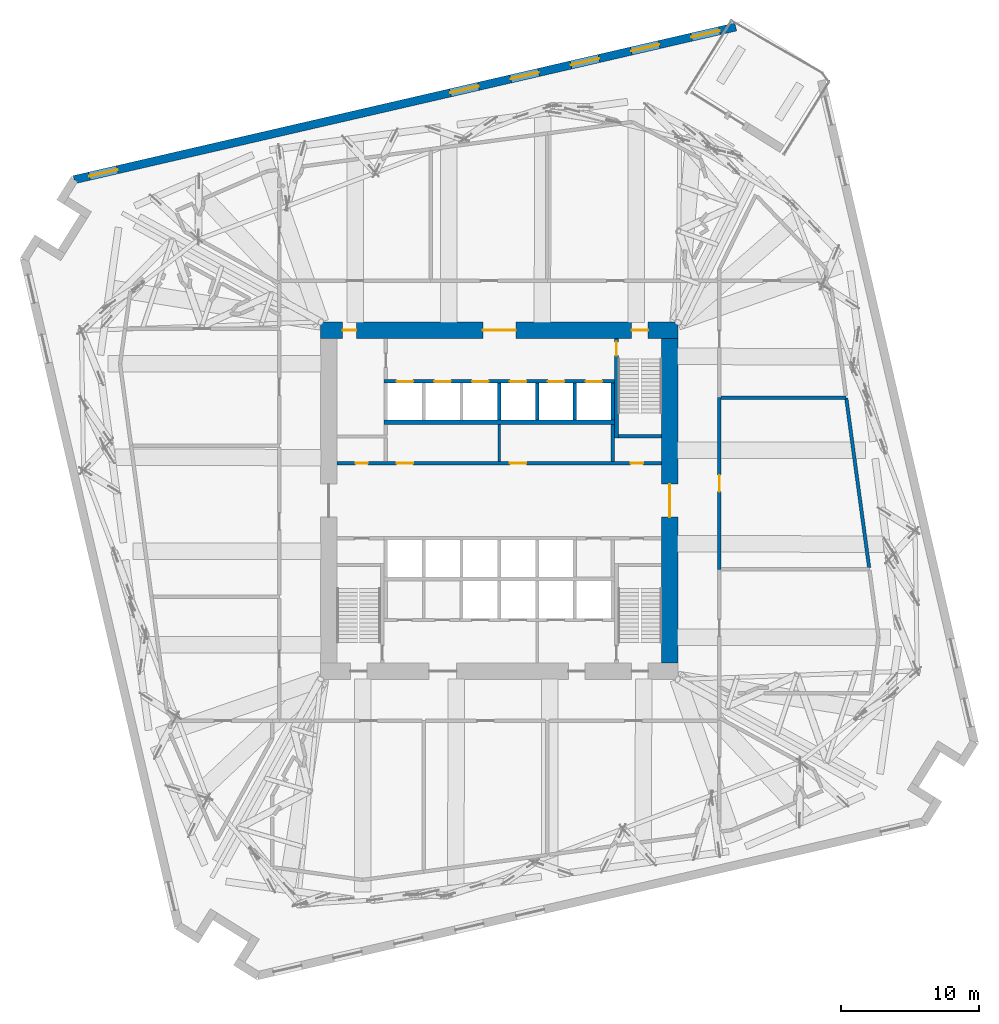
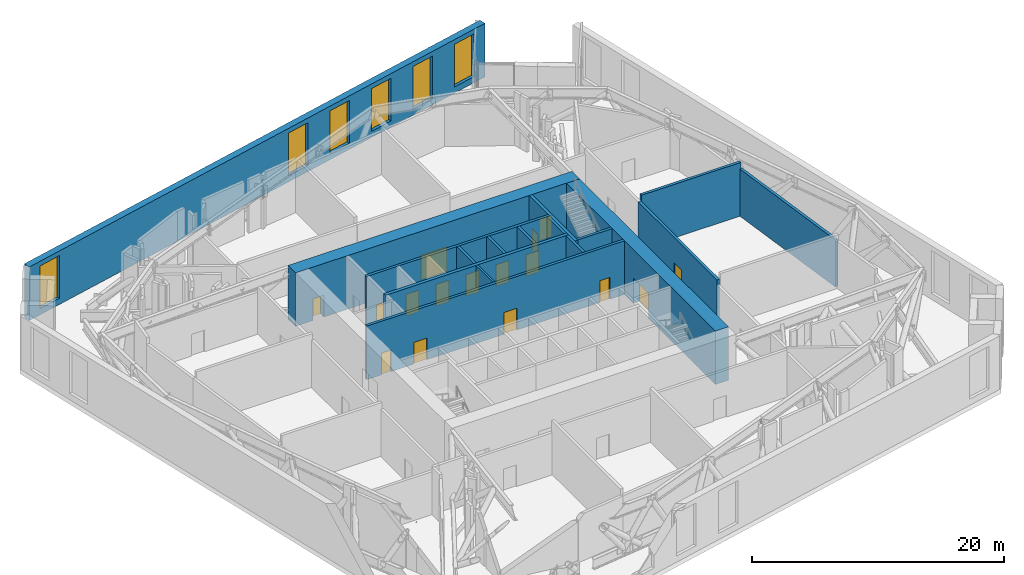
# One storey, part 11 of 17: 17 walls, 16 doors, 6 windows, 22 openings.
"""IFC4 building model written with IfcOpenShell, lengths in metres."""

from ifc_helpers import new_model, si_unit, direction, frame, frame_2d, origin, place, context, subcontext, project, spatial, rectangle, extrude, material, layer, layer_set, type_object, element, fill, save


model = new_model("IFC4")

# Units and contexts
model_context = context("Model", 3, precision=1e-05, world=origin(), true_north=direction((0.0, 1.0)))
body_context = subcontext(model_context, "Body", "Model", "MODEL_VIEW")
ifc_project = project(units=[si_unit("LENGTHUNIT", "METRE"), si_unit("AREAUNIT", "SQUARE_METRE"), si_unit("VOLUMEUNIT", "CUBIC_METRE"), si_unit("PLANEANGLEUNIT", "RADIAN"), si_unit("MASSUNIT", "GRAM", prefix="KILO")], contexts=[model_context])

# Site, building, storey
site_placement = place(None, origin())
site = spatial("IfcSite", under=ifc_project, at=site_placement, CompositionType="ELEMENT")
building_placement = place(site_placement, origin())
building = spatial("IfcBuilding", under=site, at=building_placement, Name="Dilmun Exchange Tower", CompositionType="ELEMENT")
storey_placement = place(building_placement, frame((0.0, 0.0, 76.5)))
storey = spatial("IfcBuildingStorey", under=building, at=storey_placement, Name="L17", CompositionType="ELEMENT", Elevation=76.5)

# Wall
ifc_material_1 = material(Name="Concrete C40/50", Category="concrete")
ifc_layer_1 = layer(ifc_material_1, 0.199951171875)
ifc_layer_set_1 = layer_set([ifc_layer_1], Name="Concrete C40/50")
wall_type_1 = type_object("IfcWallType", Name="Core partition wall 200", PredefinedType="PARTITIONING", material=ifc_layer_set_1)
wall_1_placement = place(storey_placement, frame((0.0, 2.85498046875, 0.0), z_axis=(0.0, 0.0, 1.0), x_axis=(0.0, 1.0, 0.0)))
element("IfcWall", 1, at=wall_1_placement, inside=storey, type_object=wall_type_1, Name="L17 core partition wall 10", PredefinedType="PARTITIONING", context=body_context, shape_type="SweptSolid", body=[
    extrude(rectangle(XDim=2.68994140625, YDim=0.199951171875, at=frame_2d((1.344970703125, 0.0))), origin(), (0.0, 0.0, 1.0), 5.179931640625),
])

# Wall, openings, doors
ifc_layer_2 = layer(ifc_material_1, 0.25)
ifc_layer_set_2 = layer_set([ifc_layer_2], Name="Concrete C40/50")
wall_type_2 = type_object("IfcWallType", Name="Core partition wall 250", PredefinedType="PARTITIONING", material=ifc_layer_set_2)
wall_2_placement = place(storey_placement, frame((-11.794921875, 2.72509765625, 0.0), z_axis=(0.0, 0.0, 1.0), x_axis=(1.0, 0.0, 0.0)))
wall_2 = element("IfcWall", 2, at=wall_2_placement, inside=storey, type_object=wall_type_2, Name="L17 core partition wall 08", PredefinedType="PARTITIONING", context=body_context, shape_type="SweptSolid", body=[
    extrude(rectangle(XDim=23.58984375, YDim=0.25, at=frame_2d((11.794921875, 0.0))), origin(), (0.0, 0.0, 1.0), 5.179931640625),
])
opening_1_placement = place(wall_2_placement, frame((21.344970703125, 0.0, 0.0)))
opening_1 = element("IfcOpeningElement", 3, at=opening_1_placement, cuts=wall_2, Name="Opening CD6", PredefinedType="OPENING", context=body_context, shape_type="SweptSolid", body=[
    extrude(rectangle(XDim=0.89990234375, YDim=2.10009765625, at=frame_2d((0.449951171875, 1.050048828125))), frame((0.0, 0.135009765625, 0.0), z_axis=(0.0, -1.0, 0.0), x_axis=(1.0, 0.0, 0.0)), (0.0, 0.0, 1.0), 0.27001953125),
])
opening_2_placement = place(wall_2_placement, frame((1.344970703125, 0.0, 0.0)))
opening_2 = element("IfcOpeningElement", 4, at=opening_2_placement, cuts=wall_2, Name="Opening CD6", PredefinedType="OPENING", context=body_context, shape_type="SweptSolid", body=[
    extrude(rectangle(XDim=0.89990234375, YDim=2.10009765625, at=frame_2d((0.449951171875, 1.050048828125))), frame((0.0, 0.135009765625, 0.0), z_axis=(0.0, -1.0, 0.0), x_axis=(1.0, 0.0, 0.0)), (0.0, 0.0, 1.0), 0.27001953125),
])
opening_3_placement = place(wall_2_placement, frame((4.320068359375, 0.0, 0.0)))
opening_3 = element("IfcOpeningElement", 5, at=opening_3_placement, cuts=wall_2, Name="Opening CD3", PredefinedType="OPENING", context=body_context, shape_type="SweptSolid", body=[
    extrude(rectangle(XDim=1.199951171875, YDim=2.10009765625, at=frame_2d((0.60009765625, 1.050048828125))), frame((0.0, 0.135009765625, 0.0), z_axis=(0.0, -1.0, 0.0), x_axis=(1.0, 0.0, 0.0)), (0.0, 0.0, 1.0), 0.27001953125),
])
opening_4_placement = place(wall_2_placement, frame((12.570068359375, 0.0, 0.0)))
opening_4 = element("IfcOpeningElement", 6, at=opening_4_placement, cuts=wall_2, Name="Opening CD3", PredefinedType="OPENING", context=body_context, shape_type="SweptSolid", body=[
    extrude(rectangle(XDim=1.199951171875, YDim=2.10009765625, at=frame_2d((0.60009765625, 1.050048828125))), frame((0.0, 0.135009765625, 0.0), z_axis=(0.0, -1.0, 0.0), x_axis=(1.0, 0.0, 0.0)), (0.0, 0.0, 1.0), 0.27001953125),
])
ifc_material_2 = material(Name="Fire-rated steel door set", Category="steel")
door_type_1 = type_object("IfcDoorType", Name="Core room door 900x2100", OperationType="SINGLE_SWING_LEFT", PredefinedType="DOOR", material=ifc_material_2)
door_1_placement = place(opening_1_placement, origin())
door_1 = element("IfcDoor", 7, at=door_1_placement, inside=storey, type_object=door_type_1, Name="L17 door Electrical riser", OperationType="SINGLE_SWING_RIGHT", OverallHeight=2.10009765625, OverallWidth=0.89990234375, PredefinedType="DOOR", context=body_context, shape_type="SweptSolid", body=[
    extrude(rectangle(XDim=0.89990234375, YDim=2.10009765625, at=frame_2d((0.449951171875, 1.050048828125))), frame((0.0, 0.02490234375, 0.0), z_axis=(0.0, -1.0, 0.0), x_axis=(1.0, 0.0, 0.0)), (0.0, 0.0, 1.0), 0.050048828125),
])
fill(opening_1, door_1)
door_2_placement = place(opening_2_placement, origin())
door_2 = element("IfcDoor", 8, at=door_2_placement, inside=storey, type_object=door_type_1, Name="L17 door Plumbing riser", OperationType="SINGLE_SWING_RIGHT", OverallHeight=2.10009765625, OverallWidth=0.89990234375, PredefinedType="DOOR", context=body_context, shape_type="SweptSolid", body=[
    extrude(rectangle(XDim=0.89990234375, YDim=2.10009765625, at=frame_2d((0.449951171875, 1.050048828125))), frame((0.0, 0.02490234375, 0.0), z_axis=(0.0, -1.0, 0.0), x_axis=(1.0, 0.0, 0.0)), (0.0, 0.0, 1.0), 0.050048828125),
])
fill(opening_2, door_2)
door_type_2 = type_object("IfcDoorType", Name="Stair exit door 1200x2100", OperationType="SINGLE_SWING_LEFT", PredefinedType="DOOR", material=ifc_material_2)
door_3_placement = place(opening_3_placement, origin())
door_3 = element("IfcDoor", 9, at=door_3_placement, inside=storey, type_object=door_type_2, Name="L17 door Quiet working room", OperationType="SINGLE_SWING_LEFT", OverallHeight=2.10009765625, OverallWidth=1.199951171875, PredefinedType="DOOR", context=body_context, shape_type="SweptSolid", body=[
    extrude(rectangle(XDim=1.199951171875, YDim=2.10009765625, at=frame_2d((0.60009765625, 1.050048828125))), frame((0.0, 0.02490234375, 0.0), z_axis=(0.0, -1.0, 0.0), x_axis=(1.0, 0.0, 0.0)), (0.0, 0.0, 1.0), 0.050048828125),
])
fill(opening_3, door_3)
door_4_placement = place(opening_4_placement, origin())
door_4 = element("IfcDoor", 10, at=door_4_placement, inside=storey, type_object=door_type_2, Name="L17 door Building management office", OperationType="SINGLE_SWING_LEFT", OverallHeight=2.10009765625, OverallWidth=1.199951171875, PredefinedType="DOOR", context=body_context, shape_type="SweptSolid", body=[
    extrude(rectangle(XDim=1.199951171875, YDim=2.10009765625, at=frame_2d((0.60009765625, 1.050048828125))), frame((0.0, 0.02490234375, 0.0), z_axis=(0.0, -1.0, 0.0), x_axis=(1.0, 0.0, 0.0)), (0.0, 0.0, 1.0), 0.050048828125),
])
fill(opening_4, door_4)

# Wall
wall_3_placement = place(storey_placement, frame((8.25, 2.85498046875, 0.0), z_axis=(0.0, 0.0, 1.0), x_axis=(0.0, 1.0, 0.0)))
element("IfcWall", 11, at=wall_3_placement, inside=storey, type_object=wall_type_2, Name="L17 core partition wall 11", PredefinedType="PARTITIONING", context=body_context, shape_type="SweptSolid", body=[
    extrude(rectangle(XDim=2.68994140625, YDim=0.25, at=frame_2d((1.344970703125, 0.0))), origin(), (0.0, 0.0, 1.0), 5.179931640625),
])

# Wall, openings, doors
ifc_material_3 = material(Name="Concrete C80/95", Category="concrete")
ifc_layer_3 = layer(ifc_material_3, 1.199951171875)
ifc_layer_set_3 = layer_set([ifc_layer_3], Name="Concrete C80/95")
wall_type_3 = type_object("IfcWallType", Name="Core shear wall 1200 Concrete C80/95", PredefinedType="SHEAR", material=ifc_layer_set_3)
wall_4_placement = place(storey_placement, frame((-13.0, 12.39990234375, 0.0), z_axis=(0.0, 0.0, 1.0), x_axis=(1.0, 0.0, 0.0)))
wall_4 = element("IfcWall", 12, at=wall_4_placement, inside=storey, type_object=wall_type_3, Name="L17 core shear wall N", PredefinedType="SHEAR", context=body_context, shape_type="SweptSolid", body=[
    extrude(rectangle(XDim=26.0, YDim=1.199951171875, at=frame_2d((13.0, 0.0))), origin(), (0.0, 0.0, 1.0), 5.179931640625),
])
opening_5_placement = place(wall_4_placement, frame((11.800048828125, 0.0, 0.0)))
opening_5 = element("IfcOpeningElement", 13, at=opening_5_placement, cuts=wall_4, Name="Opening CD1", PredefinedType="OPENING", context=body_context, shape_type="SweptSolid", body=[
    extrude(rectangle(XDim=2.39990234375, YDim=2.39990234375, at=frame_2d((1.199951171875, 1.199951171875))), frame((0.0, 0.60986328125, 0.0), z_axis=(0.0, -1.0, 0.0), x_axis=(1.0, 0.0, 0.0)), (0.0, 0.0, 1.0), 1.219970703125),
])
opening_6_placement = place(wall_4_placement, frame((22.625, 0.0, 0.0)))
opening_6 = element("IfcOpeningElement", 14, at=opening_6_placement, cuts=wall_4, Name="Opening CD3", PredefinedType="OPENING", context=body_context, shape_type="SweptSolid", body=[
    extrude(rectangle(XDim=1.199951171875, YDim=2.10009765625, at=frame_2d((0.60009765625, 1.050048828125))), frame((0.0, 0.60986328125, 0.0), z_axis=(0.0, -1.0, 0.0), x_axis=(1.0, 0.0, 0.0)), (0.0, 0.0, 1.0), 1.219970703125),
])
opening_7_placement = place(wall_4_placement, frame((1.60009765625, 0.0, 0.0)))
opening_7 = element("IfcOpeningElement", 15, at=opening_7_placement, cuts=wall_4, Name="Opening CD4", PredefinedType="OPENING", context=body_context, shape_type="SweptSolid", body=[
    extrude(rectangle(XDim=1.0, YDim=2.10009765625, at=frame_2d((0.5, 1.050048828125))), frame((0.0, 0.60986328125, 0.0), z_axis=(0.0, -1.0, 0.0), x_axis=(1.0, 0.0, 0.0)), (0.0, 0.0, 1.0), 1.219970703125),
])
door_type_3 = type_object("IfcDoorType", Name="Core lobby door 2400x2400", OperationType="DOUBLE_DOOR_DOUBLE_SWING", PredefinedType="DOOR", material=ifc_material_2)
door_5_placement = place(opening_5_placement, origin())
door_5 = element("IfcDoor", 16, at=door_5_placement, inside=storey, type_object=door_type_3, Name="L17 door North lift lobby", OperationType="SINGLE_SWING_LEFT", OverallHeight=2.39990234375, OverallWidth=2.39990234375, PredefinedType="DOOR", context=body_context, shape_type="SweptSolid", body=[
    extrude(rectangle(XDim=2.39990234375, YDim=2.39990234375, at=frame_2d((1.199951171875, 1.199951171875))), frame((0.0, 0.02490234375, 0.0), z_axis=(0.0, -1.0, 0.0), x_axis=(1.0, 0.0, 0.0)), (0.0, 0.0, 1.0), 0.050048828125),
])
fill(opening_5, door_5)
door_type_4 = type_object("IfcDoorType", Name="Core room door 1000x2100", OperationType="SINGLE_SWING_LEFT", PredefinedType="DOOR", material=ifc_material_2)
door_6_placement = place(opening_7_placement, origin())
door_6 = element("IfcDoor", 17, at=door_6_placement, inside=storey, type_object=door_type_4, Name="L17 door North-west core rooms", OperationType="SINGLE_SWING_LEFT", OverallHeight=2.10009765625, OverallWidth=1.0, PredefinedType="DOOR", context=body_context, shape_type="SweptSolid", body=[
    extrude(rectangle(XDim=1.0, YDim=2.10009765625, at=frame_2d((0.5, 1.050048828125))), frame((0.0, 0.02490234375, 0.0), z_axis=(0.0, -1.0, 0.0), x_axis=(1.0, 0.0, 0.0)), (0.0, 0.0, 1.0), 0.050048828125),
])
fill(opening_7, door_6)
door_7_placement = place(opening_6_placement, origin())
door_7 = element("IfcDoor", 18, at=door_7_placement, inside=storey, type_object=door_type_2, Name="L17 door Stair ST1", OperationType="SINGLE_SWING_LEFT", OverallHeight=2.10009765625, OverallWidth=1.199951171875, PredefinedType="DOOR", context=body_context, shape_type="SweptSolid", body=[
    extrude(rectangle(XDim=1.199951171875, YDim=2.10009765625, at=frame_2d((0.60009765625, 1.050048828125))), frame((0.0, 0.02490234375, 0.0), z_axis=(0.0, -1.0, 0.0), x_axis=(1.0, 0.0, 0.0)), (0.0, 0.0, 1.0), 0.050048828125),
])
fill(opening_6, door_7)

# Wall, opening, door
wall_5_placement = place(storey_placement, frame((12.39990234375, -11.800048828125, 0.0), z_axis=(0.0, 0.0, 1.0), x_axis=(0.0, 1.0, 0.0)))
wall_5 = element("IfcWall", 19, at=wall_5_placement, inside=storey, type_object=wall_type_3, Name="L17 core shear wall E", PredefinedType="SHEAR", context=body_context, shape_type="SweptSolid", body=[
    extrude(rectangle(XDim=23.60009765625, YDim=1.199951171875, at=frame_2d((11.800048828125, 0.0))), origin(), (0.0, 0.0, 1.0), 5.179931640625),
])
opening_8_placement = place(wall_5_placement, frame((10.60009765625, 0.0, 0.0)))
opening_8 = element("IfcOpeningElement", 20, at=opening_8_placement, cuts=wall_5, Name="Opening CD1", PredefinedType="OPENING", context=body_context, shape_type="SweptSolid", body=[
    extrude(rectangle(XDim=2.39990234375, YDim=2.39990234375, at=frame_2d((1.199951171875, 1.199951171875))), frame((0.0, 0.60986328125, 0.0), z_axis=(0.0, -1.0, 0.0), x_axis=(1.0, 0.0, 0.0)), (0.0, 0.0, 1.0), 1.219970703125),
])
door_8_placement = place(opening_8_placement, origin())
door_8 = element("IfcDoor", 21, at=door_8_placement, inside=storey, type_object=door_type_3, Name="L17 door Central lift lobby", OperationType="SINGLE_SWING_LEFT", OverallHeight=2.39990234375, OverallWidth=2.39990234375, PredefinedType="DOOR", context=body_context, shape_type="SweptSolid", body=[
    extrude(rectangle(XDim=2.39990234375, YDim=2.39990234375, at=frame_2d((1.199951171875, 1.199951171875))), frame((0.0, 0.02490234375, 0.0), z_axis=(0.0, -1.0, 0.0), x_axis=(1.0, 0.0, 0.0)), (0.0, 0.0, 1.0), 0.050048828125),
])
fill(opening_8, door_8)

# Wall
ifc_layer_4 = layer(ifc_material_1, 0.300048828125)
ifc_layer_set_4 = layer_set([ifc_layer_4], Name="Concrete C40/50")
wall_type_4 = type_object("IfcWallType", Name="Lift shaft shared wall 300", PredefinedType="SOLIDWALL", material=ifc_layer_set_4)
wall_6_placement = place(storey_placement, frame((-8.375, 5.699951171875, 0.0), z_axis=(0.0, 0.0, 1.0), x_axis=(1.0, 0.0, 0.0)))
element("IfcWall", 22, at=wall_6_placement, inside=storey, type_object=wall_type_4, Name="L17 lift shaft rear wall N", PredefinedType="SOLIDWALL", context=body_context, shape_type="SweptSolid", body=[
    extrude(rectangle(XDim=16.75, YDim=0.300048828125, at=frame_2d((8.375, 0.0))), origin(), (0.0, 0.0, 1.0), 5.179931640625),
])

# Wall, openings, doors
ifc_layer_5 = layer(ifc_material_1, 0.25)
ifc_layer_set_5 = layer_set([ifc_layer_5], Name="Concrete C40/50")
wall_type_5 = type_object("IfcWallType", Name="Lift shaft wall 250", PredefinedType="SOLIDWALL", material=ifc_layer_set_5)
wall_7_placement = place(storey_placement, frame((-8.375, 8.675048828125, 0.0), z_axis=(0.0, 0.0, 1.0), x_axis=(1.0, 0.0, 0.0)))
wall_7 = element("IfcWall", 23, at=wall_7_placement, inside=storey, type_object=wall_type_5, Name="L17 lift shaft front wall N2", PredefinedType="SOLIDWALL", context=body_context, shape_type="SweptSolid", body=[
    extrude(rectangle(XDim=16.75, YDim=0.25, at=frame_2d((8.375, 0.0))), origin(), (0.0, 0.0, 1.0), 5.179931640625),
])
opening_9_placement = place(wall_7_placement, frame((0.89990234375, 0.0, 0.0)))
opening_9 = element("IfcOpeningElement", 24, at=opening_9_placement, cuts=wall_7, Name="Opening LD", PredefinedType="OPENING", context=body_context, shape_type="SweptSolid", body=[
    extrude(rectangle(XDim=1.199951171875, YDim=2.10009765625, at=frame_2d((0.60009765625, 1.050048828125))), frame((0.0, 0.135009765625, 0.0), z_axis=(0.0, -1.0, 0.0), x_axis=(1.0, 0.0, 0.0)), (0.0, 0.0, 1.0), 0.27001953125),
])
opening_10_placement = place(wall_7_placement, frame((3.64990234375, 0.0, 0.0)))
opening_10 = element("IfcOpeningElement", 25, at=opening_10_placement, cuts=wall_7, Name="Opening LD", PredefinedType="OPENING", context=body_context, shape_type="SweptSolid", body=[
    extrude(rectangle(XDim=1.199951171875, YDim=2.10009765625, at=frame_2d((0.60009765625, 1.050048828125))), frame((0.0, 0.135009765625, 0.0), z_axis=(0.0, -1.0, 0.0), x_axis=(1.0, 0.0, 0.0)), (0.0, 0.0, 1.0), 0.27001953125),
])
opening_11_placement = place(wall_7_placement, frame((6.39990234375, 0.0, 0.0)))
opening_11 = element("IfcOpeningElement", 26, at=opening_11_placement, cuts=wall_7, Name="Opening LD", PredefinedType="OPENING", context=body_context, shape_type="SweptSolid", body=[
    extrude(rectangle(XDim=1.199951171875, YDim=2.10009765625, at=frame_2d((0.60009765625, 1.050048828125))), frame((0.0, 0.135009765625, 0.0), z_axis=(0.0, -1.0, 0.0), x_axis=(1.0, 0.0, 0.0)), (0.0, 0.0, 1.0), 0.27001953125),
])
opening_12_placement = place(wall_7_placement, frame((9.14990234375, 0.0, 0.0)))
opening_12 = element("IfcOpeningElement", 27, at=opening_12_placement, cuts=wall_7, Name="Opening LD", PredefinedType="OPENING", context=body_context, shape_type="SweptSolid", body=[
    extrude(rectangle(XDim=1.199951171875, YDim=2.10009765625, at=frame_2d((0.60009765625, 1.050048828125))), frame((0.0, 0.135009765625, 0.0), z_axis=(0.0, -1.0, 0.0), x_axis=(1.0, 0.0, 0.0)), (0.0, 0.0, 1.0), 0.27001953125),
])
opening_13_placement = place(wall_7_placement, frame((11.89990234375, 0.0, 0.0)))
opening_13 = element("IfcOpeningElement", 28, at=opening_13_placement, cuts=wall_7, Name="Opening LD", PredefinedType="OPENING", context=body_context, shape_type="SweptSolid", body=[
    extrude(rectangle(XDim=1.199951171875, YDim=2.10009765625, at=frame_2d((0.60009765625, 1.050048828125))), frame((0.0, 0.135009765625, 0.0), z_axis=(0.0, -1.0, 0.0), x_axis=(1.0, 0.0, 0.0)), (0.0, 0.0, 1.0), 0.27001953125),
])
opening_14_placement = place(wall_7_placement, frame((14.64990234375, 0.0, 0.0)))
opening_14 = element("IfcOpeningElement", 29, at=opening_14_placement, cuts=wall_7, Name="Opening LD", PredefinedType="OPENING", context=body_context, shape_type="SweptSolid", body=[
    extrude(rectangle(XDim=1.199951171875, YDim=2.10009765625, at=frame_2d((0.60009765625, 1.050048828125))), frame((0.0, 0.135009765625, 0.0), z_axis=(0.0, -1.0, 0.0), x_axis=(1.0, 0.0, 0.0)), (0.0, 0.0, 1.0), 0.27001953125),
])
door_type_5 = type_object("IfcDoorType", Name="Lift landing door 1200x2100", OperationType="DOUBLE_DOOR_SLIDING", PredefinedType="DOOR", material=ifc_material_2)
door_9_placement = place(opening_9_placement, origin())
door_9 = element("IfcDoor", 30, at=door_9_placement, inside=storey, type_object=door_type_5, Name="L17 landing door LR1", OperationType="DOUBLE_DOOR_SLIDING", OverallHeight=2.10009765625, OverallWidth=1.199951171875, PredefinedType="DOOR", context=body_context, shape_type="SweptSolid", body=[
    extrude(rectangle(XDim=1.199951171875, YDim=2.10009765625, at=frame_2d((0.60009765625, 1.050048828125))), frame((0.0, 0.02490234375, 0.0), z_axis=(0.0, -1.0, 0.0), x_axis=(1.0, 0.0, 0.0)), (0.0, 0.0, 1.0), 0.050048828125),
])
fill(opening_9, door_9)
door_10_placement = place(opening_10_placement, origin())
door_10 = element("IfcDoor", 31, at=door_10_placement, inside=storey, type_object=door_type_5, Name="L17 landing door LR2", OperationType="DOUBLE_DOOR_SLIDING", OverallHeight=2.10009765625, OverallWidth=1.199951171875, PredefinedType="DOOR", context=body_context, shape_type="SweptSolid", body=[
    extrude(rectangle(XDim=1.199951171875, YDim=2.10009765625, at=frame_2d((0.60009765625, 1.050048828125))), frame((0.0, 0.02490234375, 0.0), z_axis=(0.0, -1.0, 0.0), x_axis=(1.0, 0.0, 0.0)), (0.0, 0.0, 1.0), 0.050048828125),
])
fill(opening_10, door_10)
door_11_placement = place(opening_11_placement, origin())
door_11 = element("IfcDoor", 32, at=door_11_placement, inside=storey, type_object=door_type_5, Name="L17 landing door LR3", OperationType="DOUBLE_DOOR_SLIDING", OverallHeight=2.10009765625, OverallWidth=1.199951171875, PredefinedType="DOOR", context=body_context, shape_type="SweptSolid", body=[
    extrude(rectangle(XDim=1.199951171875, YDim=2.10009765625, at=frame_2d((0.60009765625, 1.050048828125))), frame((0.0, 0.02490234375, 0.0), z_axis=(0.0, -1.0, 0.0), x_axis=(1.0, 0.0, 0.0)), (0.0, 0.0, 1.0), 0.050048828125),
])
fill(opening_11, door_11)
door_12_placement = place(opening_12_placement, origin())
door_12 = element("IfcDoor", 33, at=door_12_placement, inside=storey, type_object=door_type_5, Name="L17 landing door LR4", OperationType="DOUBLE_DOOR_SLIDING", OverallHeight=2.10009765625, OverallWidth=1.199951171875, PredefinedType="DOOR", context=body_context, shape_type="SweptSolid", body=[
    extrude(rectangle(XDim=1.199951171875, YDim=2.10009765625, at=frame_2d((0.60009765625, 1.050048828125))), frame((0.0, 0.02490234375, 0.0), z_axis=(0.0, -1.0, 0.0), x_axis=(1.0, 0.0, 0.0)), (0.0, 0.0, 1.0), 0.050048828125),
])
fill(opening_12, door_12)
door_13_placement = place(opening_13_placement, origin())
door_13 = element("IfcDoor", 34, at=door_13_placement, inside=storey, type_object=door_type_5, Name="L17 landing door LR5", OperationType="DOUBLE_DOOR_SLIDING", OverallHeight=2.10009765625, OverallWidth=1.199951171875, PredefinedType="DOOR", context=body_context, shape_type="SweptSolid", body=[
    extrude(rectangle(XDim=1.199951171875, YDim=2.10009765625, at=frame_2d((0.60009765625, 1.050048828125))), frame((0.0, 0.02490234375, 0.0), z_axis=(0.0, -1.0, 0.0), x_axis=(1.0, 0.0, 0.0)), (0.0, 0.0, 1.0), 0.050048828125),
])
fill(opening_13, door_13)
door_14_placement = place(opening_14_placement, origin())
door_14 = element("IfcDoor", 35, at=door_14_placement, inside=storey, type_object=door_type_5, Name="L17 landing door LR6", OperationType="DOUBLE_DOOR_SLIDING", OverallHeight=2.10009765625, OverallWidth=1.199951171875, PredefinedType="DOOR", context=body_context, shape_type="SweptSolid", body=[
    extrude(rectangle(XDim=1.199951171875, YDim=2.10009765625, at=frame_2d((0.60009765625, 1.050048828125))), frame((0.0, 0.02490234375, 0.0), z_axis=(0.0, -1.0, 0.0), x_axis=(1.0, 0.0, 0.0)), (0.0, 0.0, 1.0), 0.050048828125),
])
fill(opening_14, door_14)

# Walls
for number, where, z_axis, x_axis, name in (
    (36, (0.0, 5.85009765625, 0.0), (0.0, 0.0, 1.0), (0.0, 1.0, 0.0), "L17 lift shaft divider N23"),
    (37, (2.75, 5.85009765625, 0.0), (0.0, 0.0, 1.0), (0.0, 1.0, 0.0), "L17 lift shaft divider N24"),
    (38, (5.5, 5.85009765625, 0.0), (0.0, 0.0, 1.0), (0.0, 1.0, 0.0), "L17 lift shaft divider N25"),
    (39, (8.25, 5.85009765625, 0.0), (0.0, 0.0, 1.0), (0.0, 1.0, 0.0), "L17 lift shaft divider N26"),
):
    element("IfcWall", number, at=place(storey_placement, frame(where, z_axis=z_axis, x_axis=x_axis)), inside=storey, type_object=wall_type_5, Name=name, PredefinedType="SOLIDWALL", context=body_context, shape_type="SweptSolid", body=[
        extrude(rectangle(XDim=2.699951171875, YDim=0.25, at=frame_2d((1.35009765625, 0.0))), origin(), (0.0, 0.0, 1.0), 5.179931640625),
    ])

# Wall, opening, door
ifc_material_4 = material(Name="Concrete C32/40", Category="concrete")
ifc_layer_6 = layer(ifc_material_4, 0.25)
ifc_layer_set_6 = layer_set([ifc_layer_6], Name="Concrete C32/40")
wall_type_6 = type_object("IfcWallType", Name="Plant room wall 250", PredefinedType="PARTITIONING", material=ifc_layer_set_6)
wall_8_placement = place(storey_placement, frame((16.0, -4.9951171875, 0.0), z_axis=(0.0, 0.0, 1.0), x_axis=(0.0, 1.0, 0.0)))
wall_8 = element("IfcWall", 40, at=wall_8_placement, inside=storey, type_object=wall_type_6, Name="L17 plant room wall 59", PredefinedType="PARTITIONING", context=body_context, shape_type="SweptSolid", body=[
    extrude(rectangle(XDim=12.4951171875, YDim=0.25, at=frame_2d((6.24755859375, 0.0))), origin(), (0.0, 0.0, 1.0), 4.56005859375),
])
opening_15_placement = place(wall_8_placement, frame((5.64501953125, 0.0, 0.0)))
opening_15 = element("IfcOpeningElement", 41, at=opening_15_placement, cuts=wall_8, Name="Opening PD2", PredefinedType="OPENING", context=body_context, shape_type="SweptSolid", body=[
    extrude(rectangle(XDim=1.199951171875, YDim=2.10009765625, at=frame_2d((0.60009765625, 1.050048828125))), frame((0.0, 0.135009765625, 0.0), z_axis=(0.0, -1.0, 0.0), x_axis=(1.0, 0.0, 0.0)), (0.0, 0.0, 1.0), 0.27001953125),
])
door_type_6 = type_object("IfcDoorType", Name="Plant room door 1200x2100", OperationType="SINGLE_SWING_LEFT", PredefinedType="DOOR", material=ifc_material_2)
door_15_placement = place(opening_15_placement, origin())
door_15 = element("IfcDoor", 42, at=door_15_placement, inside=storey, type_object=door_type_6, Name="L17 door Electrical switch room", OperationType="SINGLE_SWING_RIGHT", OverallHeight=2.10009765625, OverallWidth=1.199951171875, PredefinedType="DOOR", context=body_context, shape_type="SweptSolid", body=[
    extrude(rectangle(XDim=1.199951171875, YDim=2.10009765625, at=frame_2d((0.60009765625, 1.050048828125))), frame((0.0, 0.02490234375, 0.0), z_axis=(0.0, -1.0, 0.0), x_axis=(1.0, 0.0, 0.0)), (0.0, 0.0, 1.0), 0.050048828125),
])
fill(opening_15, door_15)

# Walls
wall_9_placement = place(storey_placement, frame((16.1298828125, 7.5, 0.0), z_axis=(0.0, 0.0, 1.0), x_axis=(1.0, 0.0, 0.0)))
element("IfcWall", 43, at=wall_9_placement, inside=storey, type_object=wall_type_6, Name="L17 plant room wall 66", PredefinedType="PARTITIONING", context=body_context, shape_type="SweptSolid", body=[
    extrude(rectangle(XDim=9.093505859375, YDim=0.25, at=frame_2d((4.546875, 0.0))), origin(), (0.0, 0.0, 1.0), 5.179931640625),
])
wall_10_placement = place(storey_placement, frame((25.228515625, 7.462890625, 0.0), z_axis=(0.0, 0.0, 1.0), x_axis=(0.133831459715, -0.991004107151, 0.0)))
element("IfcWall", 44, at=wall_10_placement, inside=storey, type_object=wall_type_6, Name="L17 plant room wall 67", PredefinedType="PARTITIONING", context=body_context, shape_type="SweptSolid", body=[
    extrude(rectangle(XDim=12.445068359375, YDim=0.25, at=frame_2d((6.22265625, 0.0))), origin(), (0.0, 0.0, 1.0), 4.56005859375),
])

# Wall, openings, windows
ifc_material_5 = material(Name="Precast concrete C50/60", Category="concrete")
ifc_layer_7 = layer(ifc_material_5, 0.60009765625)
ifc_layer_set_7 = layer_set([ifc_layer_7], Name="Precast concrete C50/60")
wall_type_7 = type_object("IfcWallType", Name="Precast stone-clad wall 600", PredefinedType="STANDARD", material=ifc_layer_set_7)
wall_11_placement = place(storey_placement, frame((17.19091796875, 34.4501953125, 0.0), z_axis=(0.0, 0.0, 1.0), x_axis=(-0.974369690746, -0.224952674481, 0.0)))
wall_11 = element("IfcWall", 45, at=wall_11_placement, inside=storey, type_object=wall_type_7, Name="Facade wall L17-03", PredefinedType="STANDARD", context=body_context, shape_type="SweptSolid", body=[
    extrude(rectangle(XDim=49.375732421875, YDim=0.60009765625, at=frame_2d((24.68798828125, 0.0))), origin(), (0.0, 0.0, 1.0), 5.179931640625),
])
opening_16_placement = place(wall_11_placement, frame((1.199951171875, 0.0, 0.60009765625)))
opening_16 = element("IfcOpeningElement", 46, at=opening_16_placement, cuts=wall_11, Name="Opening LV210-413", PredefinedType="OPENING", context=body_context, shape_type="SweptSolid", body=[
    extrude(rectangle(XDim=2.10009765625, YDim=4.1298828125, at=frame_2d((1.050048828125, 2.06494140625))), frame((0.0, 0.31005859375, 0.0), z_axis=(0.0, -1.0, 0.0), x_axis=(1.0, 0.0, 0.0)), (0.0, 0.0, 1.0), 0.6201171875),
])
opening_17_placement = place(wall_11_placement, frame((5.699951171875, 0.0, 0.60009765625)))
opening_17 = element("IfcOpeningElement", 47, at=opening_17_placement, cuts=wall_11, Name="Opening LV210-413", PredefinedType="OPENING", context=body_context, shape_type="SweptSolid", body=[
    extrude(rectangle(XDim=2.10009765625, YDim=4.1298828125, at=frame_2d((1.050048828125, 2.06494140625))), frame((0.0, 0.31005859375, 0.0), z_axis=(0.0, -1.0, 0.0), x_axis=(1.0, 0.0, 0.0)), (0.0, 0.0, 1.0), 0.6201171875),
])
opening_18_placement = place(wall_11_placement, frame((10.199951171875, 0.0, 0.60009765625)))
opening_18 = element("IfcOpeningElement", 48, at=opening_18_placement, cuts=wall_11, Name="Opening LV210-413", PredefinedType="OPENING", context=body_context, shape_type="SweptSolid", body=[
    extrude(rectangle(XDim=2.10009765625, YDim=4.1298828125, at=frame_2d((1.050048828125, 2.06494140625))), frame((0.0, 0.31005859375, 0.0), z_axis=(0.0, -1.0, 0.0), x_axis=(1.0, 0.0, 0.0)), (0.0, 0.0, 1.0), 0.6201171875),
])
opening_19_placement = place(wall_11_placement, frame((14.699951171875, 0.0, 0.60009765625)))
opening_19 = element("IfcOpeningElement", 49, at=opening_19_placement, cuts=wall_11, Name="Opening LV210-413", PredefinedType="OPENING", context=body_context, shape_type="SweptSolid", body=[
    extrude(rectangle(XDim=2.10009765625, YDim=4.1298828125, at=frame_2d((1.050048828125, 2.06494140625))), frame((0.0, 0.31005859375, 0.0), z_axis=(0.0, -1.0, 0.0), x_axis=(1.0, 0.0, 0.0)), (0.0, 0.0, 1.0), 0.6201171875),
])
opening_20_placement = place(wall_11_placement, frame((19.199951171875, 0.0, 0.60009765625)))
opening_20 = element("IfcOpeningElement", 50, at=opening_20_placement, cuts=wall_11, Name="Opening LV210-413", PredefinedType="OPENING", context=body_context, shape_type="SweptSolid", body=[
    extrude(rectangle(XDim=2.10009765625, YDim=4.1298828125, at=frame_2d((1.050048828125, 2.06494140625))), frame((0.0, 0.31005859375, 0.0), z_axis=(0.0, -1.0, 0.0), x_axis=(1.0, 0.0, 0.0)), (0.0, 0.0, 1.0), 0.6201171875),
])
opening_21_placement = place(wall_11_placement, frame((46.137939453125, 0.0, 0.60009765625)))
opening_21 = element("IfcOpeningElement", 51, at=opening_21_placement, cuts=wall_11, Name="Opening LV210-413", PredefinedType="OPENING", context=body_context, shape_type="SweptSolid", body=[
    extrude(rectangle(XDim=2.10009765625, YDim=4.1298828125, at=frame_2d((1.050048828125, 2.06494140625))), frame((0.0, 0.31005859375, 0.0), z_axis=(0.0, -1.0, 0.0), x_axis=(1.0, 0.0, 0.0)), (0.0, 0.0, 1.0), 0.6201171875),
])
ifc_material_6 = material(Name="Anodised aluminium louvre blades with sand trap", Category="aluminium")
window_type = type_object("IfcWindowType", Name="Plant louvre 2100 x 4130", PartitioningType="SINGLE_PANEL", PredefinedType="USERDEFINED", material=ifc_material_6)
window_1_placement = place(opening_16_placement, origin())
window_1 = element("IfcWindow", 52, at=window_1_placement, inside=storey, type_object=window_type, Name="Plant louvre 4.1", ObjectType="LOUVRE", OverallHeight=4.1298828125, OverallWidth=2.10009765625, PartitioningType="SINGLE_PANEL", PredefinedType="USERDEFINED", context=body_context, shape_type="SweptSolid", body=[
    extrude(rectangle(XDim=2.10009765625, YDim=4.1298828125, at=frame_2d((1.050048828125, 2.06494140625))), frame((0.0, 0.030029296875, 0.0), z_axis=(0.0, -1.0, 0.0), x_axis=(1.0, 0.0, 0.0)), (0.0, 0.0, 1.0), 0.06005859375),
])
fill(opening_16, window_1)
window_2_placement = place(opening_17_placement, origin())
window_2 = element("IfcWindow", 53, at=window_2_placement, inside=storey, type_object=window_type, Name="Plant louvre 4.2", ObjectType="LOUVRE", OverallHeight=4.1298828125, OverallWidth=2.10009765625, PartitioningType="SINGLE_PANEL", PredefinedType="USERDEFINED", context=body_context, shape_type="SweptSolid", body=[
    extrude(rectangle(XDim=2.10009765625, YDim=4.1298828125, at=frame_2d((1.050048828125, 2.06494140625))), frame((0.0, 0.030029296875, 0.0), z_axis=(0.0, -1.0, 0.0), x_axis=(1.0, 0.0, 0.0)), (0.0, 0.0, 1.0), 0.06005859375),
])
fill(opening_17, window_2)
window_3_placement = place(opening_18_placement, origin())
window_3 = element("IfcWindow", 54, at=window_3_placement, inside=storey, type_object=window_type, Name="Plant louvre 4.3", ObjectType="LOUVRE", OverallHeight=4.1298828125, OverallWidth=2.10009765625, PartitioningType="SINGLE_PANEL", PredefinedType="USERDEFINED", context=body_context, shape_type="SweptSolid", body=[
    extrude(rectangle(XDim=2.10009765625, YDim=4.1298828125, at=frame_2d((1.050048828125, 2.06494140625))), frame((0.0, 0.030029296875, 0.0), z_axis=(0.0, -1.0, 0.0), x_axis=(1.0, 0.0, 0.0)), (0.0, 0.0, 1.0), 0.06005859375),
])
fill(opening_18, window_3)
window_4_placement = place(opening_19_placement, origin())
window_4 = element("IfcWindow", 55, at=window_4_placement, inside=storey, type_object=window_type, Name="Plant louvre 4.4", ObjectType="LOUVRE", OverallHeight=4.1298828125, OverallWidth=2.10009765625, PartitioningType="SINGLE_PANEL", PredefinedType="USERDEFINED", context=body_context, shape_type="SweptSolid", body=[
    extrude(rectangle(XDim=2.10009765625, YDim=4.1298828125, at=frame_2d((1.050048828125, 2.06494140625))), frame((0.0, 0.030029296875, 0.0), z_axis=(0.0, -1.0, 0.0), x_axis=(1.0, 0.0, 0.0)), (0.0, 0.0, 1.0), 0.06005859375),
])
fill(opening_19, window_4)
window_5_placement = place(opening_20_placement, origin())
window_5 = element("IfcWindow", 56, at=window_5_placement, inside=storey, type_object=window_type, Name="Plant louvre 4.5", ObjectType="LOUVRE", OverallHeight=4.1298828125, OverallWidth=2.10009765625, PartitioningType="SINGLE_PANEL", PredefinedType="USERDEFINED", context=body_context, shape_type="SweptSolid", body=[
    extrude(rectangle(XDim=2.10009765625, YDim=4.1298828125, at=frame_2d((1.050048828125, 2.06494140625))), frame((0.0, 0.030029296875, 0.0), z_axis=(0.0, -1.0, 0.0), x_axis=(1.0, 0.0, 0.0)), (0.0, 0.0, 1.0), 0.06005859375),
])
fill(opening_20, window_5)
window_6_placement = place(opening_21_placement, origin())
window_6 = element("IfcWindow", 57, at=window_6_placement, inside=storey, type_object=window_type, Name="Plant louvre 4.11", ObjectType="LOUVRE", OverallHeight=4.1298828125, OverallWidth=2.10009765625, PartitioningType="SINGLE_PANEL", PredefinedType="USERDEFINED", context=body_context, shape_type="SweptSolid", body=[
    extrude(rectangle(XDim=2.10009765625, YDim=4.1298828125, at=frame_2d((1.050048828125, 2.06494140625))), frame((0.0, 0.030029296875, 0.0), z_axis=(0.0, -1.0, 0.0), x_axis=(1.0, 0.0, 0.0)), (0.0, 0.0, 1.0), 0.06005859375),
])
fill(opening_21, window_6)

# Wall
ifc_layer_8 = layer(ifc_material_1, 0.25)
ifc_layer_set_8 = layer_set([ifc_layer_8], Name="Concrete C40/50")
wall_type_8 = type_object("IfcWallType", Name="Stair end wall 250", PredefinedType="SOLIDWALL", material=ifc_layer_set_8)
wall_12_placement = place(storey_placement, frame((8.64990234375, 4.675048828125, 0.0), z_axis=(0.0, 0.0, 1.0), x_axis=(1.0, 0.0, 0.0)))
element("IfcWall", 58, at=wall_12_placement, inside=storey, type_object=wall_type_8, Name="L17 ST1 far wall", PredefinedType="SOLIDWALL", context=body_context, shape_type="SweptSolid", body=[
    extrude(rectangle(XDim=3.150146484375, YDim=0.25, at=frame_2d((1.5751953125, 0.0))), origin(), (0.0, 0.0, 1.0), 5.179931640625),
])

# Wall, opening, door
ifc_layer_9 = layer(ifc_material_1, 0.27490234375)
ifc_layer_set_9 = layer_set([ifc_layer_9], Name="Concrete C40/50")
wall_type_9 = type_object("IfcWallType", Name="Stair wall 275", PredefinedType="SOLIDWALL", material=ifc_layer_set_9)
wall_13_placement = place(storey_placement, frame((8.512451171875, 4.550048828125, 0.0), z_axis=(0.0, 0.0, 1.0), x_axis=(0.0, 1.0, 0.0)))
wall_13 = element("IfcWall", 59, at=wall_13_placement, inside=storey, type_object=wall_type_9, Name="L17 ST1 wall to lift block", PredefinedType="SOLIDWALL", context=body_context, shape_type="SweptSolid", body=[
    extrude(rectangle(XDim=7.25, YDim=0.27490234375, at=frame_2d((3.625, 0.0))), origin(), (0.0, 0.0, 1.0), 5.179931640625),
])
opening_22_placement = place(wall_13_placement, frame((6.0, 0.0, 0.0)))
opening_22 = element("IfcOpeningElement", 60, at=opening_22_placement, cuts=wall_13, Name="Opening CD4", PredefinedType="OPENING", context=body_context, shape_type="SweptSolid", body=[
    extrude(rectangle(XDim=1.0, YDim=2.10009765625, at=frame_2d((0.5, 1.050048828125))), frame((0.0, 0.1474609375, 0.0), z_axis=(0.0, -1.0, 0.0), x_axis=(1.0, 0.0, 0.0)), (0.0, 0.0, 1.0), 0.294921875),
])
door_16_placement = place(opening_22_placement, origin())
door_16 = element("IfcDoor", 61, at=door_16_placement, inside=storey, type_object=door_type_4, Name="L17 door ST1 from lobby", OperationType="SINGLE_SWING_LEFT", OverallHeight=2.10009765625, OverallWidth=1.0, PredefinedType="DOOR", context=body_context, shape_type="SweptSolid", body=[
    extrude(rectangle(XDim=1.0, YDim=2.10009765625, at=frame_2d((0.5, 1.050048828125))), frame((0.0, 0.02490234375, 0.0), z_axis=(0.0, -1.0, 0.0), x_axis=(1.0, 0.0, 0.0)), (0.0, 0.0, 1.0), 0.050048828125),
])
fill(opening_22, door_16)

save(model, "model.ifc")
